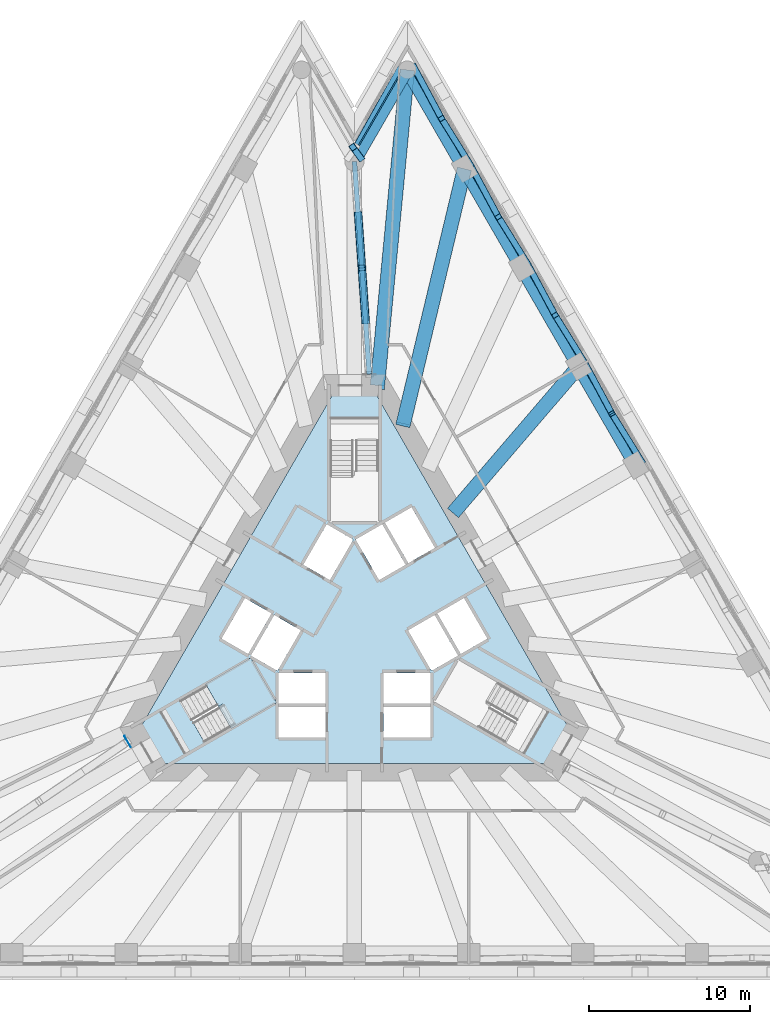
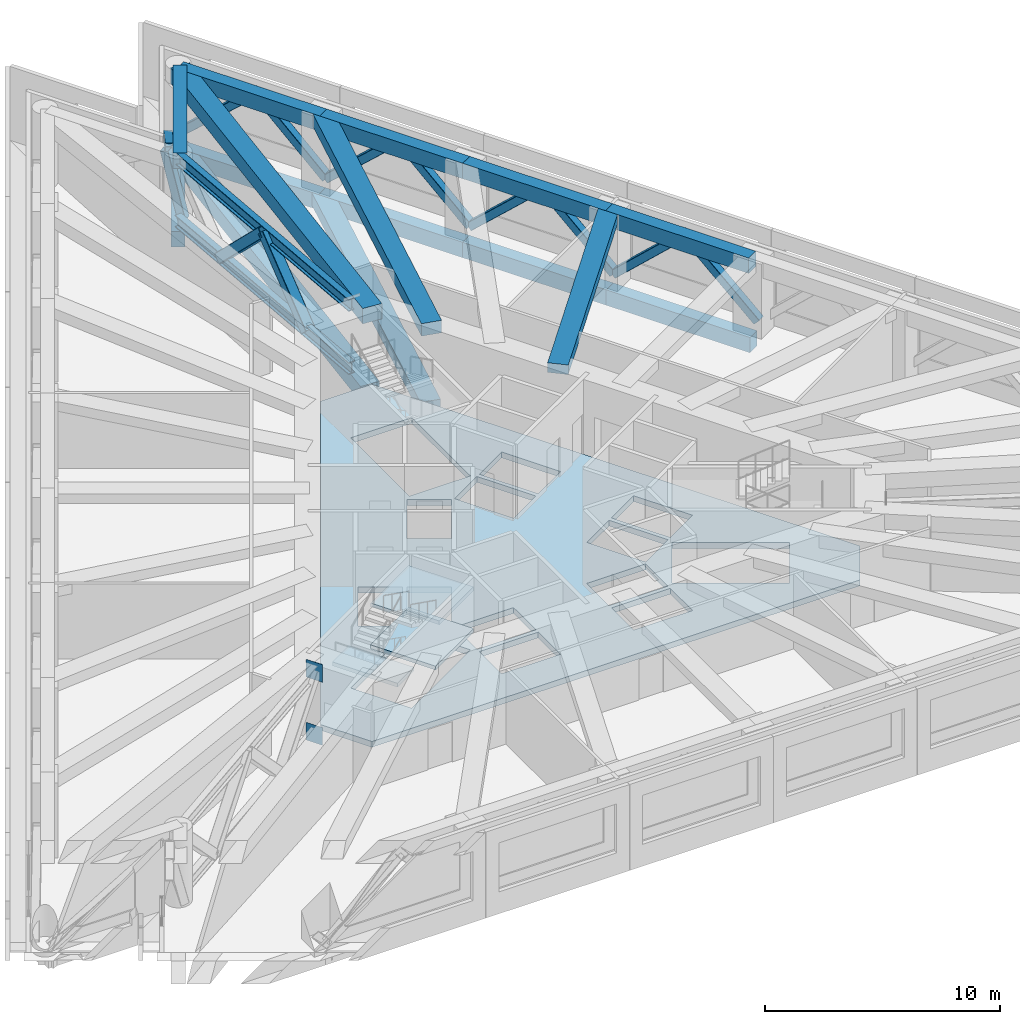
# One storey, part 4 of 13: 15 beams, 14 members, 4 slabs, 2 plates, 1 element without a shape of its own.
"""IFC4 building model written with IfcOpenShell, lengths in metres."""

import ifcopenshell
import ifcopenshell.guid

model = None  # the IFC model being written
_history = None  # IfcOwnerHistory: only IFC2X3 demands one
_inside = {}  # id of a spatial element -> (the spatial element, [elements in it])
_under = {}  # id of a project, library or spatial element -> (it, [spatial elements below it])
_declared = {}  # id of a project -> (the project, [libraries it declares])
_typed = {}  # id of a type object -> (the type object, [elements of that type])
_made_of = {}  # id of a material, layer set ... -> (it, [elements and type objects made of it])


def new_model(schema):
    """Start an empty IFC model of exactly this schema.

    Asked for "IFC4X3", IfcOpenShell would pick the latest addendum, in which some entities
    have other attributes; the version numbers below select the first issue.
    IFC2X3 requires an IfcOwnerHistory on every rooted entity: one is made here for all.
    """
    global model, _history
    if schema == "IFC4X3":
        model = ifcopenshell.file(schema_version=(4, 3, 0, 0))
    else:
        model = ifcopenshell.file(schema=schema)
    _inside.clear()
    _under.clear()
    _declared.clear()
    _typed.clear()
    _made_of.clear()
    _history = None
    if model.schema == "IFC2X3":
        org = make("IfcOrganization", Name="unknown")
        user = make(
            "IfcPersonAndOrganization",
            ThePerson=make("IfcPerson", FamilyName="unknown"),
            TheOrganization=org,
        )
        app = make(
            "IfcApplication",
            ApplicationDeveloper=org,
            Version="unknown",
            ApplicationFullName="unknown",
            ApplicationIdentifier="unknown",
        )
        _history = make(
            "IfcOwnerHistory",
            OwningUser=user,
            OwningApplication=app,
            ChangeAction="ADDED",
            CreationDate=0,
        )
    return model


def make(cls, **values):
    """One entity of the class cls with the attributes given. An attribute that is None is left unset."""
    return model.create_entity(
        cls, **{name: value for name, value in values.items() if value is not None}
    )


def rooted(cls, **values):
    """An entity with a GlobalId (a new one), such as an element, a storey or a relation."""
    return make(cls, GlobalId=ifcopenshell.guid.new(), OwnerHistory=_history, **values)


def si_unit(unit_type, name, prefix=None):
    """IfcSIUnit, for example si_unit("LENGTHUNIT", "METRE", prefix="MILLI")."""
    return make("IfcSIUnit", UnitType=unit_type, Prefix=prefix, Name=name)


def assignment(units):
    """IfcUnitAssignment: the units of a project."""
    return None if units is None else make("IfcUnitAssignment", Units=units)


def point(xyz):
    """IfcCartesianPoint."""
    return None if xyz is None else make("IfcCartesianPoint", Coordinates=xyz)


def direction(xyz):
    """IfcDirection."""
    return None if xyz is None else make("IfcDirection", DirectionRatios=xyz)


def frame(location, z_axis=None, x_axis=None):
    """IfcAxis2Placement3D, a coordinate frame: its origin and axes. An axis left out is left unset."""
    return make(
        "IfcAxis2Placement3D",
        Location=point(location),
        Axis=direction(z_axis),
        RefDirection=direction(x_axis),
    )


def frame_2d(location, x_axis=None):
    """IfcAxis2Placement2D, a coordinate frame in the plane: its origin and x axis."""
    return make(
        "IfcAxis2Placement2D", Location=point(location), RefDirection=direction(x_axis)
    )


def origin():
    """The frame at (0, 0, 0) with its axes left unset."""
    return frame((0.0, 0.0, 0.0))


def origin_2d():
    """The frame at (0, 0) in the plane with its x axis left unset."""
    return frame_2d((0.0, 0.0))


def place(relative_to, where):
    """IfcLocalPlacement: puts the frame where relative to a parent placement (None: the world)."""
    return make(
        "IfcLocalPlacement", PlacementRelTo=relative_to, RelativePlacement=where
    )


def context(
    kind, dimensions, precision=None, world=None, true_north=None, identifier=None
):
    """IfcGeometricRepresentationContext, for example the 3D "Model" context."""
    return make(
        "IfcGeometricRepresentationContext",
        ContextIdentifier=identifier,
        ContextType=kind,
        CoordinateSpaceDimension=dimensions,
        Precision=precision,
        WorldCoordinateSystem=world,
        TrueNorth=true_north,
    )


def subcontext(parent, identifier, kind, view, scale=None):
    """IfcGeometricRepresentationSubContext, for example "Body" below "Model"."""
    return make(
        "IfcGeometricRepresentationSubContext",
        ContextIdentifier=identifier,
        ContextType=kind,
        ParentContext=parent,
        TargetScale=scale,
        TargetView=view,
    )


def project(units=None, contexts=None):
    """IfcProject with its units and contexts."""
    return rooted(
        "IfcProject",
        Name="project",
        RepresentationContexts=contexts,
        UnitsInContext=assignment(units),
    )


def spatial(cls, under=None, at=None, **own):
    """A site, building, storey or space (cls), placed at a placement, below another one or the project."""
    s = rooted(cls, ObjectPlacement=at, **own)
    if under is not None:
        _under.setdefault(under.id(), (under, []))[1].append(s)
    return s


def polyline(points):
    """IfcPolyline through the points."""
    return make("IfcPolyline", Points=[point(p) for p in points])


def profile(cls, at=None, kind="AREA", **sizes):
    """A parametric profile (cls). Its sizes go by their IFC names, for example OverallWidth=200.0."""
    return make(cls, ProfileType=kind, Position=at, **sizes)


def rectangle(**sizes):
    """IfcRectangleProfileDef."""
    return profile("IfcRectangleProfileDef", **sizes)


def hollow_rectangle(**sizes):
    """IfcRectangleHollowProfileDef."""
    return profile("IfcRectangleHollowProfileDef", **sizes)


def i_section(**sizes):
    """IfcIShapeProfileDef."""
    return profile("IfcIShapeProfileDef", **sizes)


def outline(outer, holes=None, kind="AREA"):
    """IfcArbitraryClosedProfileDef: a profile drawn as a closed curve; with holes, ...WithVoids."""
    if holes is None:
        return make("IfcArbitraryClosedProfileDef", ProfileType=kind, OuterCurve=outer)
    return make(
        "IfcArbitraryProfileDefWithVoids",
        ProfileType=kind,
        OuterCurve=outer,
        InnerCurves=holes,
    )


def extrude(swept, where, along, depth):
    """IfcExtrudedAreaSolid: the profile swept, set in the frame where, extruded along a direction by depth."""
    return make(
        "IfcExtrudedAreaSolid",
        SweptArea=swept,
        Position=where,
        ExtrudedDirection=direction(along),
        Depth=depth,
    )


def shape(context_of_items, identifier, shape_type, items):
    """IfcShapeRepresentation: the items that make up one representation, for example the "Body"."""
    return make(
        "IfcShapeRepresentation",
        ContextOfItems=context_of_items,
        RepresentationIdentifier=identifier,
        RepresentationType=shape_type,
        Items=items,
    )


def material(Name=None, Category=None):
    """IfcMaterial."""
    return make("IfcMaterial", Name=Name, Category=Category)


def layer(
    of_material, thickness, ventilated=None, Name=None, Category=None, Priority=None
):
    """IfcMaterialLayer: one layer of a wall or slab, of a material (None: an air gap)."""
    return make(
        "IfcMaterialLayer",
        Material=of_material,
        LayerThickness=thickness,
        IsVentilated=ventilated,
        Name=Name,
        Category=Category,
        Priority=Priority,
    )


def layer_set(layers, Name=None):
    """IfcMaterialLayerSet."""
    return make("IfcMaterialLayerSet", MaterialLayers=layers, LayerSetName=Name)


def material_profile(
    of_material, cross_section, Name=None, Category=None, Priority=None
):
    """IfcMaterialProfile: a cross section and its material."""
    return make(
        "IfcMaterialProfile",
        Name=Name,
        Material=of_material,
        Profile=cross_section,
        Priority=Priority,
        Category=Category,
    )


def profile_set(profiles, Name=None, composite=None):
    """IfcMaterialProfileSet."""
    return make(
        "IfcMaterialProfileSet",
        Name=Name,
        MaterialProfiles=profiles,
        CompositeProfile=composite,
    )


def made_of(thing, what):
    """Note that an element or type object is made of a material, layer set ...; save() writes the relation."""
    if what is not None:
        _made_of.setdefault(what.id(), (what, []))[1].append(thing)
    return thing


def type_object(cls, material=None, **own):
    """A type object (cls), such as IfcWallType, which elements share."""
    return made_of(rooted(cls, **own), material)


def element(
    cls,
    number,
    at=None,
    inside=None,
    cuts=None,
    type_object=None,
    material=None,
    context=None,
    identifier="Body",
    shape_type=None,
    held_by="IfcProductDefinitionShape",
    body=None,
    shapes=None,
    **own,
):
    """One element of the class cls, such as IfcWall. Its Tag is "e" and its number.

    at: its placement. inside: the storey or other place that contains it. cuts: it is an
    opening in that element (IfcRelVoidsElement). A single representation is given by context,
    identifier, shape_type and body (its items); several are given by shapes. held_by: the class
    of the entity that holds the representations. save() writes the other relations.
    """
    e = rooted(cls, Tag="e%d" % number, ObjectPlacement=at, **own)
    if body is not None:
        shapes = [shape(context, identifier, shape_type, body)]
    if shapes is not None:
        e.Representation = make(held_by, Representations=shapes)
    if inside is not None:
        _inside.setdefault(inside.id(), (inside, []))[1].append(e)
    if cuts is not None:
        rooted(
            "IfcRelVoidsElement", RelatingBuildingElement=cuts, RelatedOpeningElement=e
        )
    if type_object is not None:
        _typed.setdefault(type_object.id(), (type_object, []))[1].append(e)
    return made_of(e, material)


def aggregate(whole, parts):
    """IfcRelAggregates: a whole, such as a stair, and the parts it consists of."""
    return rooted("IfcRelAggregates", RelatingObject=whole, RelatedObjects=parts)


def save(model, path):
    """Write the relations noted so far, then the file.

    IfcRelAggregates (storeys below a building ...), IfcRelContainedInSpatialStructure (elements
    in a storey), IfcRelDefinesByType, IfcRelAssociatesMaterial and IfcRelDeclares: one each for
    every whole, place, type object, material and project.
    """
    for whole, parts in _under.values():
        aggregate(whole, parts)
    for where, things in _inside.values():
        rooted(
            "IfcRelContainedInSpatialStructure",
            RelatedElements=things,
            RelatingStructure=where,
        )
    for kind, things in _typed.values():
        rooted("IfcRelDefinesByType", RelatedObjects=things, RelatingType=kind)
    for what, things in _made_of.values():
        rooted("IfcRelAssociatesMaterial", RelatedObjects=things, RelatingMaterial=what)
    for by, libraries in _declared.values():
        rooted("IfcRelDeclares", RelatingContext=by, RelatedDefinitions=libraries)
    model.write(path)


model = new_model("IFC4")

# Units and contexts
model_context = context("Model", 3, precision=1e-05, world=origin(), true_north=direction((0.0, 1.0)))
body_context = subcontext(model_context, "Body", "Model", "MODEL_VIEW")
ifc_project = project(units=[si_unit("LENGTHUNIT", "METRE"), si_unit("AREAUNIT", "SQUARE_METRE"), si_unit("VOLUMEUNIT", "CUBIC_METRE"), si_unit("PLANEANGLEUNIT", "RADIAN"), si_unit("MASSUNIT", "GRAM", prefix="KILO")], contexts=[model_context])

# Site, building, storey
site_placement = place(None, origin())
site = spatial("IfcSite", under=ifc_project, at=site_placement, CompositionType="ELEMENT")
building_placement = place(site_placement, origin())
building = spatial("IfcBuilding", under=site, at=building_placement, Name="Triada Interchange Tower", CompositionType="ELEMENT")
storey_placement = place(building_placement, frame((0.0, 0.0, 95.300048828125)))
storey = spatial("IfcBuildingStorey", under=building, at=storey_placement, Name="L21", CompositionType="ELEMENT", Elevation=95.300048828125)

# Members
ifc_material_1 = material(Name="Steel S355", Category="steel")
ifc_material_profile_1 = material_profile(ifc_material_1, hollow_rectangle(XDim=0.39990234375, YDim=0.39990234375, WallThickness=0.02001953125, InnerFilletRadius=0.02001953125, OuterFilletRadius=0.030029296875, at=origin_2d()), Name="RHS 400x400x20")
ifc_profile_set_1 = profile_set([ifc_material_profile_1], Name="Steel S355")
member_type_1 = type_object("IfcMemberType", Name="Belt truss diagonal RHS 400x400x20", PredefinedType="BRACE", material=ifc_profile_set_1)
member_1_placement = place(storey_placement, frame((17.820068359375, 10.2880859375, 0.14990234375), z_axis=(-0.381619223838, 0.615924788356, 0.689204920967), x_axis=(-0.850059738448, -0.526686283351, 0.0)))
element("IfcMember", 1, at=member_1_placement, inside=storey, type_object=member_type_1, Name="Belt truss diagonal 049 L21", PredefinedType="BRACE", context=body_context, shape_type="SweptSolid", body=[
    extrude(hollow_rectangle(XDim=0.39990234375, YDim=0.39990234375, WallThickness=0.02001953125, InnerFilletRadius=0.02001953125, OuterFilletRadius=0.030029296875, at=origin_2d()), origin(), (0.0, 0.0, 1.0), 4.86083984375),
])
member_2_placement = place(storey_placement, frame((14.280029296875, 16.419921875, 0.14990234375), z_axis=(0.344613363129, -0.641743778079, 0.685132507804), x_axis=(0.881009772568, 0.47309806662, 0.0)))
element("IfcMember", 2, at=member_2_placement, inside=storey, type_object=member_type_1, Name="Belt truss diagonal 050 L21", PredefinedType="BRACE", context=body_context, shape_type="SweptSolid", body=[
    extrude(hollow_rectangle(XDim=0.39990234375, YDim=0.39990234375, WallThickness=0.02001953125, InnerFilletRadius=0.02001953125, OuterFilletRadius=0.030029296875, at=origin_2d()), origin(), (0.0, 0.0, 1.0), 4.8896484375),
])
member_3_placement = place(storey_placement, frame((14.280029296875, 16.419921875, 0.14990234375), z_axis=(-0.37989728896, 0.612483341935, 0.693211515839), x_axis=(-0.849804737525, -0.527097626707, 0.0)))
element("IfcMember", 3, at=member_3_placement, inside=storey, type_object=member_type_1, Name="Belt truss diagonal 051 L21", PredefinedType="BRACE", context=body_context, shape_type="SweptSolid", body=[
    extrude(hollow_rectangle(XDim=0.39990234375, YDim=0.39990234375, WallThickness=0.02001953125, InnerFilletRadius=0.02001953125, OuterFilletRadius=0.030029296875, at=origin_2d()), origin(), (0.0, 0.0, 1.0), 4.832763671875),
])
member_4_placement = place(storey_placement, frame((10.739990234375, 22.551025390625, 0.14990234375), z_axis=(0.346527764516, -0.644849446031, 0.681239825886), x_axis=(0.880869288949, 0.473359584022, 0.0)))
element("IfcMember", 4, at=member_4_placement, inside=storey, type_object=member_type_1, Name="Belt truss diagonal 052 L21", PredefinedType="BRACE", context=body_context, shape_type="SweptSolid", body=[
    extrude(hollow_rectangle(XDim=0.39990234375, YDim=0.39990234375, WallThickness=0.02001953125, InnerFilletRadius=0.02001953125, OuterFilletRadius=0.030029296875, at=origin_2d()), origin(), (0.0, 0.0, 1.0), 4.917724609375),
])
member_5_placement = place(storey_placement, frame((10.739990234375, 22.551025390625, 0.14990234375), z_axis=(-0.377969135836, 0.609029321457, 0.697296649899), x_axis=(-0.849670835009, -0.527313447709, 0.0)))
element("IfcMember", 5, at=member_5_placement, inside=storey, type_object=member_type_1, Name="Belt truss diagonal 053 L21", PredefinedType="BRACE", context=body_context, shape_type="SweptSolid", body=[
    extrude(hollow_rectangle(XDim=0.39990234375, YDim=0.39990234375, WallThickness=0.02001953125, InnerFilletRadius=0.02001953125, OuterFilletRadius=0.030029296875, at=origin_2d()), origin(), (0.0, 0.0, 1.0), 4.804443359375),
])
member_6_placement = place(storey_placement, frame((7.199951171875, 28.68310546875, 0.14990234375), z_axis=(0.34850622911, -0.648057745776, 0.677173955798), x_axis=(0.880725090052, 0.47362782409, 0.0)))
element("IfcMember", 6, at=member_6_placement, inside=storey, type_object=member_type_1, Name="Belt truss diagonal 054 L21", PredefinedType="BRACE", context=body_context, shape_type="SweptSolid", body=[
    extrude(hollow_rectangle(XDim=0.39990234375, YDim=0.39990234375, WallThickness=0.02001953125, InnerFilletRadius=0.02001953125, OuterFilletRadius=0.030029296875, at=origin_2d()), origin(), (0.0, 0.0, 1.0), 4.947265625),
])
member_7_placement = place(storey_placement, frame((7.199951171875, 28.68310546875, 0.14990234375), z_axis=(-0.37619292346, 0.605435486194, 0.70137490431), x_axis=(-0.849385240817, -0.527773353517, 0.0)))
element("IfcMember", 7, at=member_7_placement, inside=storey, type_object=member_type_1, Name="Belt truss diagonal 055 L21", PredefinedType="BRACE", context=body_context, shape_type="SweptSolid", body=[
    extrude(hollow_rectangle(XDim=0.39990234375, YDim=0.39990234375, WallThickness=0.02001953125, InnerFilletRadius=0.02001953125, OuterFilletRadius=0.030029296875, at=origin_2d()), origin(), (0.0, 0.0, 1.0), 4.7763671875),
])
member_8_placement = place(storey_placement, frame((3.659912109375, 34.81396484375, 0.14990234375), z_axis=(0.350368033847, -0.651026989502, 0.673354364208), x_axis=(0.880575510058, 0.473905867326, 0.0)))
element("IfcMember", 8, at=member_8_placement, inside=storey, type_object=member_type_1, Name="Belt truss diagonal 056 L21", PredefinedType="BRACE", context=body_context, shape_type="SweptSolid", body=[
    extrude(hollow_rectangle(XDim=0.39990234375, YDim=0.39990234375, WallThickness=0.02001953125, InnerFilletRadius=0.02001953125, OuterFilletRadius=0.030029296875, at=origin_2d()), origin(), (0.0, 0.0, 1.0), 4.975341796875),
])
member_9_placement = place(storey_placement, frame((2.89794921875, 34.81396484375, 0.14990234375), z_axis=(-0.421321361817, -0.75403046476, 0.503911071808), x_axis=(0.872967443256, -0.487778477401, 0.0)))
element("IfcMember", 9, at=member_9_placement, inside=storey, type_object=member_type_1, Name="Belt truss diagonal 057 L21", PredefinedType="BRACE", context=body_context, shape_type="SweptSolid", body=[
    extrude(hollow_rectangle(XDim=0.39990234375, YDim=0.39990234375, WallThickness=0.02001953125, InnerFilletRadius=0.02001953125, OuterFilletRadius=0.030029296875, at=origin_2d()), origin(), (0.0, 0.0, 1.0), 6.648193359375),
])
member_10_placement = place(storey_placement, frame((0.381103515625, 29.134033203125, 0.14990234375), z_axis=(-0.138593336362, 0.193379466262, 0.971285884353), x_axis=(-0.812807736318, -0.582532045282, 0.0)))
element("IfcMember", 10, at=member_10_placement, inside=storey, type_object=member_type_1, Name="Belt truss diagonal 059 L21", PredefinedType="BRACE", context=body_context, shape_type="SweptSolid", body=[
    extrude(hollow_rectangle(XDim=0.39990234375, YDim=0.39990234375, WallThickness=0.02001953125, InnerFilletRadius=0.02001953125, OuterFilletRadius=0.030029296875, at=origin_2d()), origin(), (0.0, 0.0, 1.0), 3.44921875),
])
ifc_material_2 = material(Name="Steel S460M", Category="steel")
ifc_material_profile_2 = material_profile(ifc_material_2, i_section(OverallWidth=0.304931640625, OverallDepth=0.6201171875, WebThickness=0.02099609375, FlangeThickness=0.0400390625, FilletRadius=0.027099609375, at=origin_2d()), Name="HEM 600")
ifc_profile_set_2 = profile_set([ifc_material_profile_2], Name="Steel S460M")
member_type_2 = type_object("IfcMemberType", Name="Outrigger chord HEM 600", PredefinedType="CHORD", material=ifc_profile_set_2)
for number, where, z_axis, x_axis, name in (
    (11, (0.9189453125, 15.718017578125, 0.31005859375), (-0.069469693643, 0.997584062455, 0.0), (-0.997584062455, -0.069469693643, 0.0), "Outrigger bottom chord N L21"),
    (12, (0.9189453125, 15.718017578125, 3.58984375), (-0.069469693643, 0.997584062455, 0.0), (-0.997584062455, -0.069469693643, 0.0), "Outrigger top chord N L21"),
):
    element("IfcMember", number, at=place(storey_placement, frame(where, z_axis=z_axis, x_axis=x_axis)), inside=storey, type_object=member_type_2, Name=name, PredefinedType="CHORD", context=body_context, shape_type="SweptSolid", body=[
        extrude(i_section(OverallWidth=0.304931640625, OverallDepth=0.6201171875, WebThickness=0.02099609375, FlangeThickness=0.0400390625, FilletRadius=0.027099609375, at=origin_2d()), origin(), (0.0, 0.0, 1.0), 13.22802734375),
    ])
ifc_material_profile_3 = material_profile(ifc_material_1, hollow_rectangle(XDim=0.5, YDim=0.5, WallThickness=0.02490234375, InnerFilletRadius=0.02490234375, OuterFilletRadius=0.03759765625, at=origin_2d()), Name="RHS 500x500x25")
ifc_profile_set_3 = profile_set([ifc_material_profile_3], Name="Steel S355")
member_type_3 = type_object("IfcMemberType", Name="Outrigger diagonal RHS 500x500x25", PredefinedType="BRACE", material=ifc_profile_set_3)
member_11_placement = place(storey_placement, frame((0.68896484375, 19.01708984375, 0.31005859375), z_axis=(-0.049378701879, 0.708285583633, 0.704196901312), x_axis=(-0.99757867574, -0.069547003593, 0.0)))
element("IfcMember", 13, at=member_11_placement, inside=storey, type_object=member_type_3, Name="Outrigger diagonal N 2 L21", PredefinedType="BRACE", context=body_context, shape_type="SweptSolid", body=[
    extrude(hollow_rectangle(XDim=0.5, YDim=0.5, WallThickness=0.02490234375, InnerFilletRadius=0.02490234375, OuterFilletRadius=0.03759765625, at=origin_2d()), origin(), (0.0, 0.0, 1.0), 4.657470703125),
])
member_12_placement = place(storey_placement, frame((0.458984375, 22.31591796875, 3.58984375), z_axis=(-0.04916770831, 0.708319021747, -0.704178031389), x_axis=(-0.997599475558, -0.069248006222, 0.0)))
element("IfcMember", 14, at=member_12_placement, inside=storey, type_object=member_type_3, Name="Outrigger diagonal N 3 L21", PredefinedType="BRACE", context=body_context, shape_type="SweptSolid", body=[
    extrude(hollow_rectangle(XDim=0.5, YDim=0.5, WallThickness=0.02490234375, InnerFilletRadius=0.02490234375, OuterFilletRadius=0.03759765625, at=origin_2d()), origin(), (0.0, 0.0, 1.0), 4.65771484375),
])

# Beams
ifc_material_3 = material(Name="Concrete C50/60", Category="concrete")
ifc_material_profile_4 = material_profile(ifc_material_3, rectangle(XDim=0.89990234375, YDim=0.5, at=origin_2d()), Name="RC 900x500")
ifc_profile_set_4 = profile_set([ifc_material_profile_4], Name="Concrete C50/60")
beam_type_1 = type_object("IfcBeamType", Name="Radial band beam A RC 900x500", PredefinedType="BEAM", material=ifc_profile_set_4)
beam_1_placement = place(storey_placement, frame((13.822998046875, 16.111083984375, 3.64990234375), z_axis=(-0.651156137851, -0.758943795112, 0.0), x_axis=(0.758943795112, -0.651156137851, 0.0)))
element("IfcBeam", 15, at=beam_1_placement, inside=storey, type_object=beam_type_1, Name="Radial band beam BA26 L22", PredefinedType="BEAM", context=body_context, shape_type="SweptSolid", body=[
    extrude(rectangle(XDim=0.89990234375, YDim=0.5, at=origin_2d()), origin(), (0.0, 0.0, 1.0), 11.848388671875),
])
ifc_material_profile_5 = material_profile(ifc_material_3, rectangle(XDim=0.89990234375, YDim=0.64990234375, at=origin_2d()), Name="RC 900x650")
ifc_profile_set_5 = profile_set([ifc_material_profile_5], Name="Concrete C50/60")
beam_type_2 = type_object("IfcBeamType", Name="Radial band beam A RC 900x650", PredefinedType="BEAM", material=ifc_profile_set_5)
beam_2_placement = place(storey_placement, frame((6.819091796875, 28.462890625, -0.625), z_axis=(-0.23297767369, -0.972482083928, 0.0), x_axis=(0.972482083928, -0.23297767369, 0.0)))
element("IfcBeam", 16, at=beam_2_placement, inside=storey, type_object=beam_type_2, Name="Radial band beam BA28 L21", PredefinedType="BEAM", context=body_context, shape_type="SweptSolid", body=[
    extrude(rectangle(XDim=0.89990234375, YDim=0.64990234375, at=origin_2d()), origin(), (0.0, 0.0, 1.0), 16.259521484375),
])
beam_3_placement = place(storey_placement, frame((6.781982421875, 28.305908203125, 3.574951171875), z_axis=(-0.233004016778, -0.972475772534, 0.0), x_axis=(0.972475772534, -0.233004016778, 0.0)))
element("IfcBeam", 17, at=beam_3_placement, inside=storey, type_object=beam_type_2, Name="Radial band beam BA28 L22", PredefinedType="BEAM", context=body_context, shape_type="SweptSolid", body=[
    extrude(rectangle(XDim=0.89990234375, YDim=0.64990234375, at=origin_2d()), origin(), (0.0, 0.0, 1.0), 16.243896484375),
])
ifc_material_profile_6 = material_profile(ifc_material_3, rectangle(XDim=0.89990234375, YDim=0.800048828125, at=origin_2d()), Name="RC 900x800")
ifc_profile_set_6 = profile_set([ifc_material_profile_6], Name="Concrete C50/60")
beam_type_3 = type_object("IfcBeamType", Name="Radial band beam A RC 900x800", PredefinedType="BEAM", material=ifc_profile_set_6)
beam_4_placement = place(storey_placement, frame((3.279052734375, 34.593994140625, -0.699951171875), z_axis=(-0.094368321416, -0.995537352344, 0.0), x_axis=(0.995537352344, -0.094368321416, 0.0)))
element("IfcBeam", 18, at=beam_4_placement, inside=storey, type_object=beam_type_3, Name="Radial band beam BA29 L21", PredefinedType="BEAM", context=body_context, shape_type="SweptSolid", body=[
    extrude(rectangle(XDim=0.89990234375, YDim=0.800048828125, at=origin_2d()), origin(), (0.0, 0.0, 1.0), 19.65673828125),
])
beam_5_placement = place(storey_placement, frame((3.261962890625, 34.404052734375, 3.5), z_axis=(-0.094398362541, -0.995534504249, 0.0), x_axis=(0.995534504249, -0.094398362541, 0.0)))
element("IfcBeam", 19, at=beam_5_placement, inside=storey, type_object=beam_type_3, Name="Radial band beam BA29 L22", PredefinedType="BEAM", context=body_context, shape_type="SweptSolid", body=[
    extrude(rectangle(XDim=0.89990234375, YDim=0.800048828125, at=origin_2d()), origin(), (0.0, 0.0, 1.0), 19.69189453125),
])
ifc_material_profile_7 = material_profile(ifc_material_3, rectangle(XDim=0.60009765625, YDim=0.800048828125, at=origin_2d()), Name="RC 600x800")
ifc_profile_set_7 = profile_set([ifc_material_profile_7], Name="Concrete C50/60")
beam_type_4 = type_object("IfcBeamType", Name="Spandrel beam A RC 600x800", PredefinedType="BEAM", material=ifc_profile_set_7)
beam_6_placement = place(storey_placement, frame((17.43896484375, 10.068115234375, -0.699951171875), z_axis=(-0.499981137809, 0.866036293601, 0.0), x_axis=(-0.866036293601, -0.499981137809, 0.0)))
element("IfcBeam", 20, at=beam_6_placement, inside=storey, type_object=beam_type_4, Name="Spandrel beam EA25 L21", PredefinedType="BEAM", context=body_context, shape_type="SweptSolid", body=[
    extrude(rectangle(XDim=0.60009765625, YDim=0.800048828125, at=origin_2d()), origin(), (0.0, 0.0, 1.0), 7.080322265625),
])
beam_7_placement = place(storey_placement, frame((13.89892578125, 16.199951171875, -0.699951171875), z_axis=(-0.500025932755, 0.866010430984, 0.0), x_axis=(-0.866010430984, -0.500025932755, 0.0)))
element("IfcBeam", 21, at=beam_7_placement, inside=storey, type_object=beam_type_4, Name="Spandrel beam EA26 L21", PredefinedType="BEAM", context=body_context, shape_type="SweptSolid", body=[
    extrude(rectangle(XDim=0.60009765625, YDim=0.800048828125, at=origin_2d()), origin(), (0.0, 0.0, 1.0), 7.07958984375),
])
beam_8_placement = place(storey_placement, frame((10.35888671875, 22.3310546875, -0.699951171875), z_axis=(-0.499955275397, 0.866051224006, 0.0), x_axis=(-0.866051224006, -0.499955275397, 0.0)))
element("IfcBeam", 22, at=beam_8_placement, inside=storey, type_object=beam_type_4, Name="Spandrel beam EA27 L21", PredefinedType="BEAM", context=body_context, shape_type="SweptSolid", body=[
    extrude(rectangle(XDim=0.60009765625, YDim=0.800048828125, at=origin_2d()), origin(), (0.0, 0.0, 1.0), 7.080322265625),
])
beam_9_placement = place(storey_placement, frame((6.819091796875, 28.462890625, -0.699951171875), z_axis=(-0.500025932755, 0.866010430984, 0.0), x_axis=(-0.866010430984, -0.500025932755, 0.0)))
element("IfcBeam", 23, at=beam_9_placement, inside=storey, type_object=beam_type_4, Name="Spandrel beam EA28 L21", PredefinedType="BEAM", context=body_context, shape_type="SweptSolid", body=[
    extrude(rectangle(XDim=0.60009765625, YDim=0.800048828125, at=origin_2d()), origin(), (0.0, 0.0, 1.0), 7.07958984375),
])
beam_10_placement = place(storey_placement, frame((3.279052734375, 34.593994140625, -0.699951171875), z_axis=(-0.4999705729, -0.866042392862, 0.0), x_axis=(0.866042392862, -0.4999705729, 0.0)))
element("IfcBeam", 24, at=beam_10_placement, inside=storey, type_object=beam_type_4, Name="Spandrel beam EA29 L21", PredefinedType="BEAM", context=body_context, shape_type="SweptSolid", body=[
    extrude(rectangle(XDim=0.60009765625, YDim=0.800048828125, at=origin_2d()), origin(), (0.0, 0.0, 1.0), 6.55859375),
])
beam_11_placement = place(storey_placement, frame((17.343994140625, 10.013916015625, 3.5), z_axis=(-0.500084632063, 0.865976535926, 0.0), x_axis=(-0.865976535926, -0.500084632063, 0.0)))
element("IfcBeam", 25, at=beam_11_placement, inside=storey, type_object=beam_type_4, Name="Spandrel beam EA25 L22", PredefinedType="BEAM", context=body_context, shape_type="SweptSolid", body=[
    extrude(rectangle(XDim=0.60009765625, YDim=0.800048828125, at=origin_2d()), origin(), (0.0, 0.0, 1.0), 7.040771484375),
])
beam_12_placement = place(storey_placement, frame((13.822998046875, 16.111083984375, 3.5), z_axis=(-0.499935564725, 0.866062602312, 0.0), x_axis=(-0.866062602312, -0.499935564725, 0.0)))
element("IfcBeam", 26, at=beam_12_placement, inside=storey, type_object=beam_type_4, Name="Spandrel beam EA26 L22", PredefinedType="BEAM", context=body_context, shape_type="SweptSolid", body=[
    extrude(rectangle(XDim=0.60009765625, YDim=0.800048828125, at=origin_2d()), origin(), (0.0, 0.0, 1.0), 7.041015625),
])
beam_13_placement = place(storey_placement, frame((10.302978515625, 22.208984375, 3.5), z_axis=(-0.500099648901, 0.86596786382, 0.0), x_axis=(-0.86596786382, -0.500099648901, 0.0)))
element("IfcBeam", 27, at=beam_13_placement, inside=storey, type_object=beam_type_4, Name="Spandrel beam EA27 L22", PredefinedType="BEAM", context=body_context, shape_type="SweptSolid", body=[
    extrude(rectangle(XDim=0.60009765625, YDim=0.800048828125, at=origin_2d()), origin(), (0.0, 0.0, 1.0), 7.04052734375),
])
beam_14_placement = place(storey_placement, frame((6.781982421875, 28.305908203125, 3.5), z_axis=(-0.499920551933, 0.866071268289, 0.0), x_axis=(-0.866071268289, -0.499920551933, 0.0)))
element("IfcBeam", 28, at=beam_14_placement, inside=storey, type_object=beam_type_4, Name="Spandrel beam EA28 L22", PredefinedType="BEAM", context=body_context, shape_type="SweptSolid", body=[
    extrude(rectangle(XDim=0.60009765625, YDim=0.800048828125, at=origin_2d()), origin(), (0.0, 0.0, 1.0), 7.041259765625),
])
beam_15_placement = place(storey_placement, frame((3.261962890625, 34.404052734375, 3.5), z_axis=(-0.499917868789, -0.866072817069, 0.0), x_axis=(0.866072817069, -0.499917868789, 0.0)))
element("IfcBeam", 29, at=beam_15_placement, inside=storey, type_object=beam_type_4, Name="Spandrel beam EA29 L22", PredefinedType="BEAM", context=body_context, shape_type="SweptSolid", body=[
    extrude(rectangle(XDim=0.60009765625, YDim=0.800048828125, at=origin_2d()), origin(), (0.0, 0.0, 1.0), 6.52490234375),
])

# Slab
ifc_layer_1 = layer(ifc_material_3, 0.300048828125)
ifc_layer_set_1 = layer_set([ifc_layer_1], Name="Floor slab 300")
slab_type_1 = type_object("IfcSlabType", Name="Floor slab 300", PredefinedType="FLOOR", material=ifc_layer_set_1)
slab_1_placement = place(storey_placement, frame((0.0, 0.0, -0.300048828125)))
element("IfcSlab", 30, at=slab_1_placement, inside=storey, type_object=slab_type_1, Name="Core floor slab L21 1", PredefinedType="FLOOR", context=body_context, shape_type="SweptSolid", body=[
    extrude(outline(polyline([(13.279052734375, -6.199951171875), (12.009033203125, -8.39990234375), (-12.009033203125, -8.39990234375), (-13.279052734375, -6.199951171875), (-1.27001953125, 14.60009765625), (1.27001953125, 14.60009765625), (13.279052734375, -6.199951171875)]), holes=[polyline([(9.2958984375, -7.09912109375), (10.7958984375, -4.5009765625), (6.466064453125, -2.0009765625), (4.966064453125, -4.59912109375), (9.2958984375, -7.09912109375)]), polyline([(6.7890625, 1.841064453125), (5.14404296875, 0.89111328125), (6.593994140625, -1.6201171875), (8.239013671875, -0.669921875), (6.7890625, 1.841064453125)]), polyline([(4.969970703125, 0.791015625), (3.324951171875, -0.158935546875), (4.77490234375, -2.669921875), (6.419921875, -1.719970703125), (4.969970703125, 0.791015625)]), polyline([(1.89404296875, 6.52001953125), (3.343994140625, 4.009033203125), (4.989013671875, 4.958984375), (3.5390625, 7.469970703125), (1.89404296875, 6.52001953125)]), polyline([(1.800048828125, -4.89990234375), (1.800048828125, -6.800048828125), (4.699951171875, -6.800048828125), (4.699951171875, -4.89990234375), (1.800048828125, -4.89990234375)]), polyline([(1.800048828125, -2.800048828125), (1.800048828125, -4.174072265625), (1.800048828125, -4.699951171875), (4.699951171875, -4.699951171875), (4.699951171875, -2.800048828125), (1.800048828125, -2.800048828125)]), polyline([(1.52490234375, 2.958984375), (1.736083984375, 3.0810546875), (3.169921875, 3.908935546875), (1.719970703125, 6.419921875), (0.074951171875, 5.469970703125), (1.52490234375, 2.958984375)]), polyline([(1.5, 11.60009765625), (-1.5, 11.60009765625), (-1.5, 6.60009765625), (1.5, 6.60009765625), (1.5, 11.60009765625)]), polyline([(-1.52490234375, 2.958984375), (-0.074951171875, 5.469970703125), (-1.719970703125, 6.419921875), (-3.169921875, 3.908935546875), (-1.52490234375, 2.958984375)]), polyline([(-4.699951171875, -2.800048828125), (-4.699951171875, -4.699951171875), (-1.800048828125, -4.699951171875), (-1.800048828125, -4.174072265625), (-1.800048828125, -2.800048828125), (-4.699951171875, -2.800048828125)]), polyline([(-4.699951171875, -4.89990234375), (-4.699951171875, -6.800048828125), (-1.800048828125, -6.800048828125), (-1.800048828125, -4.89990234375), (-4.699951171875, -4.89990234375)]), polyline([(-4.77490234375, -2.669921875), (-3.324951171875, -0.158935546875), (-4.969970703125, 0.791015625), (-6.419921875, -1.719970703125), (-4.77490234375, -2.669921875)]), polyline([(-10.7958984375, -4.5009765625), (-9.2958984375, -7.09912109375), (-4.966064453125, -4.59912109375), (-6.466064453125, -2.0009765625), (-10.7958984375, -4.5009765625)]), polyline([(-6.593994140625, -1.6201171875), (-5.14404296875, 0.89111328125), (-6.7890625, 1.841064453125), (-8.239013671875, -0.669921875), (-6.593994140625, -1.6201171875)])]), origin(), (0.0, 0.0, 1.0), 0.300048828125),
])

# Plates
ifc_layer_2 = layer(ifc_material_2, 0.01806640625)
ifc_layer_set_2 = layer_set([ifc_layer_2], Name="Outrigger end plate 18")
plate_type = type_object("IfcPlateType", Name="Outrigger end plate 18", PredefinedType="SHEET", material=ifc_layer_set_2)
for number, where, z_axis, x_axis, name in (
    (31, (-14.06396484375, -7.05908203125, -0.14990234375), (0.0, 0.0, 1.0), (-0.866025403784, -0.5, 0.0), "Outrigger end plate SW bottom L21"),
    (32, (-14.06396484375, -7.05908203125, 3.1298828125), (0.0, 0.0, 1.0), (-0.866025403784, -0.5, 0.0), "Outrigger end plate SW top L21"),
):
    element("IfcPlate", number, at=place(storey_placement, frame(where, z_axis=z_axis, x_axis=x_axis)), inside=storey, type_object=plate_type, Name=name, PredefinedType="SHEET", context=body_context, shape_type="SweptSolid", body=[
        extrude(rectangle(XDim=0.01806640625, YDim=0.800048828125, at=origin_2d()), origin(), (0.0, 0.0, 1.0), 0.919921875),
    ])

# Stair, slabs
ifc_material_4 = material(Name="Concrete C35/45", Category="concrete")
stair_type = type_object("IfcStairType", Name="HALF TURN STAIR 1400", PredefinedType="HALF_TURN_STAIR", material=ifc_material_4)
stair_placement = place(storey_placement, origin())
stair = element("IfcStair", 33, at=stair_placement, inside=storey, type_object=stair_type, Name="Exit stair S21-2", PredefinedType="HALF_TURN_STAIR")
ifc_layer_3 = layer(ifc_material_4, 0.199951171875)
ifc_layer_set_3 = layer_set([ifc_layer_3], Name="STAIR LANDING 200")
slab_type_2 = type_object("IfcSlabType", Name="STAIR LANDING 200", PredefinedType="LANDING", material=ifc_layer_set_3)
slab_2_placement = place(storey_placement, frame((0.0, 0.0, 0.88623046875)))
slab_2 = element("IfcSlab", 34, at=slab_2_placement, type_object=slab_type_2, Name="S21-2 landing 1", PredefinedType="LANDING", context=body_context, shape_type="SweptSolid", body=[
    extrude(outline(polyline([(-6.428955078125, -1.864013671875), (-9.235107421875, -3.48388671875), (-7.635009765625, -6.256103515625), (-4.8291015625, -4.635986328125), (-6.428955078125, -1.864013671875)])), origin(), (0.0, 0.0, 1.0), 0.199951171875),
])
slab_3_placement = place(storey_placement, frame((0.0, 0.0, 3.05859375)))
slab_3 = element("IfcSlab", 35, at=slab_3_placement, type_object=slab_type_2, Name="S21-2 landing 2", PredefinedType="LANDING", context=body_context, shape_type="SweptSolid", body=[
    extrude(outline(polyline([(-6.428955078125, -1.864013671875), (-9.235107421875, -3.48388671875), (-8.43505859375, -4.8701171875), (-8.1669921875, -4.715087890625), (-7.366943359375, -6.10107421875), (-4.8291015625, -4.635986328125), (-6.428955078125, -1.864013671875)])), origin(), (0.0, 0.0, 1.0), 0.199951171875),
])
slab_4_placement = place(storey_placement, frame((0.0, 0.0, 1.972412109375)))
slab_4 = element("IfcSlab", 36, at=slab_4_placement, type_object=slab_type_2, Name="S21-2 landing 3", PredefinedType="LANDING", context=body_context, shape_type="SweptSolid", body=[
    extrude(outline(polyline([(-10.845947265625, -4.4140625), (-12.05810546875, -5.114013671875), (-10.4580078125, -7.885986328125), (-9.24609375, -7.18603515625), (-10.845947265625, -4.4140625)])), origin(), (0.0, 0.0, 1.0), 0.199951171875),
])
aggregate(stair, [slab_2, slab_3, slab_4])

save(model, "model.ifc")
